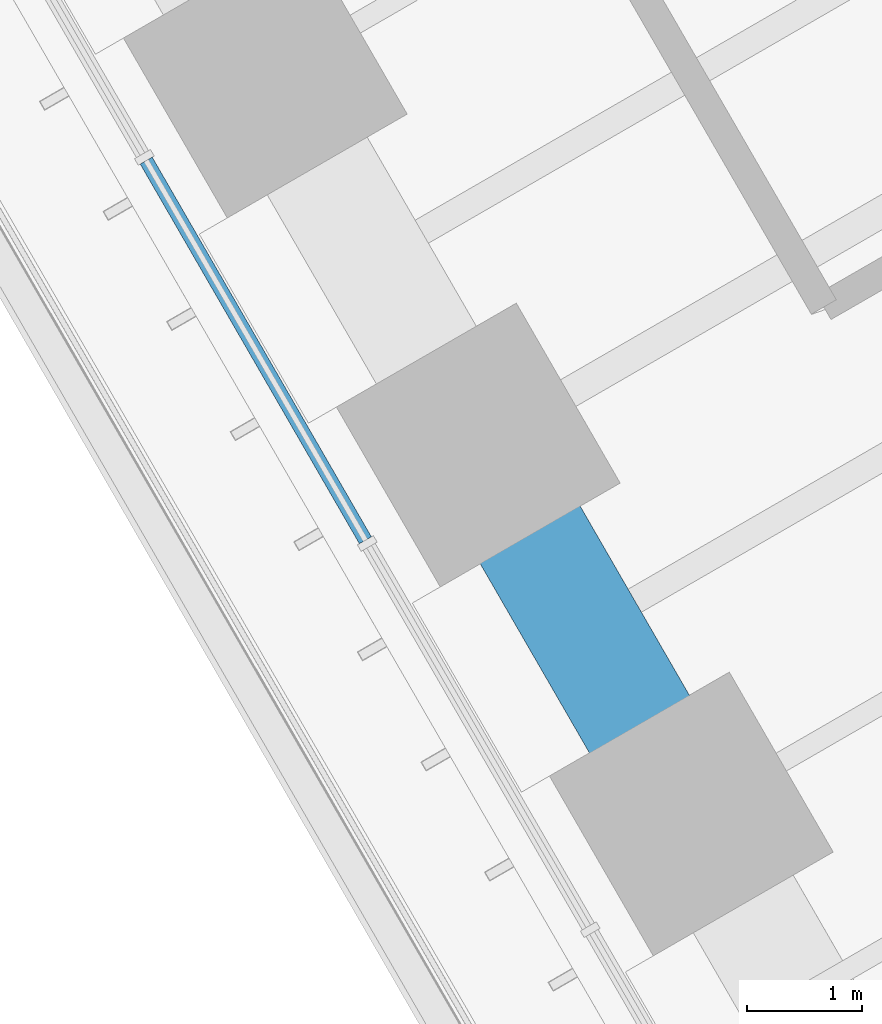
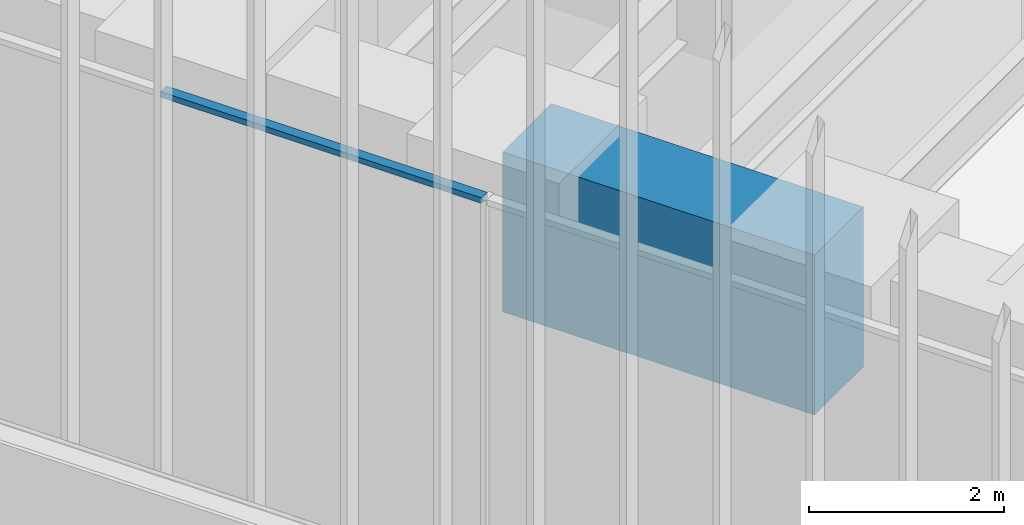
# One storey, part 13 of 228: 1 beam, 1 member, 1 element without a shape of its own.
"""IFC4 building model written with IfcOpenShell, lengths in metres."""

from ifc_helpers import new_model, si_unit, direction, frame, origin, origin_2d, place, context, subcontext, project, spatial, rectangle, extrude, material, material_profile, profile_set, type_object, element, aggregate, save


model = new_model("IFC4")

# Units and contexts
model_context = context("Model", 3, precision=1e-05, world=origin(), true_north=direction((0.0, 1.0)))
body_context = subcontext(model_context, "Body", "Model", "MODEL_VIEW")
ifc_project = project(units=[si_unit("LENGTHUNIT", "METRE"), si_unit("AREAUNIT", "SQUARE_METRE"), si_unit("VOLUMEUNIT", "CUBIC_METRE"), si_unit("PLANEANGLEUNIT", "RADIAN"), si_unit("MASSUNIT", "GRAM", prefix="KILO")], contexts=[model_context])

# Site, building, storey
site_placement = place(None, origin())
site = spatial("IfcSite", under=ifc_project, at=site_placement, CompositionType="ELEMENT")
building_placement = place(site_placement, origin())
building = spatial("IfcBuilding", under=site, at=building_placement, Name="Sandreach Pilgrim Tower", CompositionType="ELEMENT")
storey_placement = place(building_placement, frame((0.0, 0.0, 178.199951171875)))
storey = spatial("IfcBuildingStorey", under=building, at=storey_placement, Name="L44", CompositionType="ELEMENT", Elevation=178.199951171875)

# Curtain wall, member
ifc_material_1 = material(Name="Aluminium framed curtain wall", Category="aluminium")
curtain_wall_type = type_object("IfcCurtainWallType", Name="Upper hotel tower curtain wall", PredefinedType="NOTDEFINED", material=ifc_material_1)
curtain_wall_placement = place(storey_placement, origin())
curtain_wall = element("IfcCurtainWall", 1, at=curtain_wall_placement, inside=storey, type_object=curtain_wall_type, Name="CW-3 L44 SW", PredefinedType="NOTDEFINED")
ifc_material_2 = material(Name="Aluminium extrusion", Category="aluminium")
ifc_material_profile_1 = material_profile(ifc_material_2, rectangle(XDim=0.1201171875, YDim=0.070068359375, at=origin_2d()), Name="CW-3T 120X70")
ifc_profile_set_1 = profile_set([ifc_material_profile_1], Name="Aluminium extrusion")
member_type = type_object("IfcMemberType", Name="CW-3 transom", PredefinedType="USERDEFINED", material=ifc_profile_set_1)
member_placement = place(storey_placement, frame((-15.443115234375, -15.572021484375, 4.804931640625), z_axis=(-0.499974606132, 0.866040064445, 0.0), x_axis=(-0.866040064445, -0.499974606132, 0.0)))
member = element("IfcMember", 2, at=member_placement, type_object=member_type, Name="CW-3 head transom 4", ObjectType="TRANSOM", PredefinedType="USERDEFINED", context=body_context, shape_type="SweptSolid", body=[
    extrude(rectangle(XDim=0.1201171875, YDim=0.070068359375, at=origin_2d()), origin(), (0.0, 0.0, 1.0), 3.799560546875),
])
aggregate(curtain_wall, [member])

# Beam
ifc_material_3 = material(Name="Concrete 10000 psi", Category="concrete")
ifc_material_profile_2 = material_profile(ifc_material_3, rectangle(XDim=1.0, YDim=2.0, at=origin_2d()), Name="RC1000X2000")
ifc_profile_set_2 = profile_set([ifc_material_profile_2], Name="Concrete 10000 psi")
beam_type = type_object("IfcBeamType", Name="Spandrel beam RC1000X2000", PredefinedType="SPANDREL", material=ifc_profile_set_2)
beam_placement = place(storey_placement, frame((-12.618408203125, -17.944580078125, 3.840087890625), z_axis=(-0.499993363642, 0.866029235253, 0.0), x_axis=(-0.866029235253, -0.499993363642, 0.0)))
element("IfcBeam", 3, at=beam_placement, inside=storey, type_object=beam_type, Name="BM L44 SP28", PredefinedType="SPANDREL", context=body_context, shape_type="SweptSolid", body=[
    extrude(rectangle(XDim=1.0, YDim=2.0, at=origin_2d()), origin(), (0.0, 0.0, 1.0), 3.6923828125),
])

save(model, "model.ifc")
